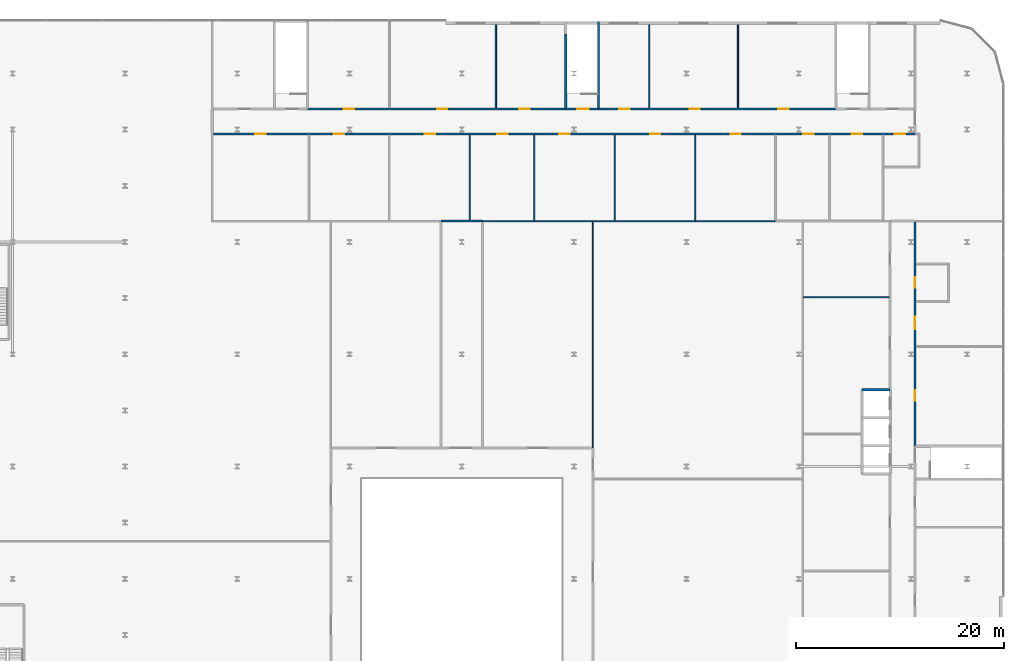
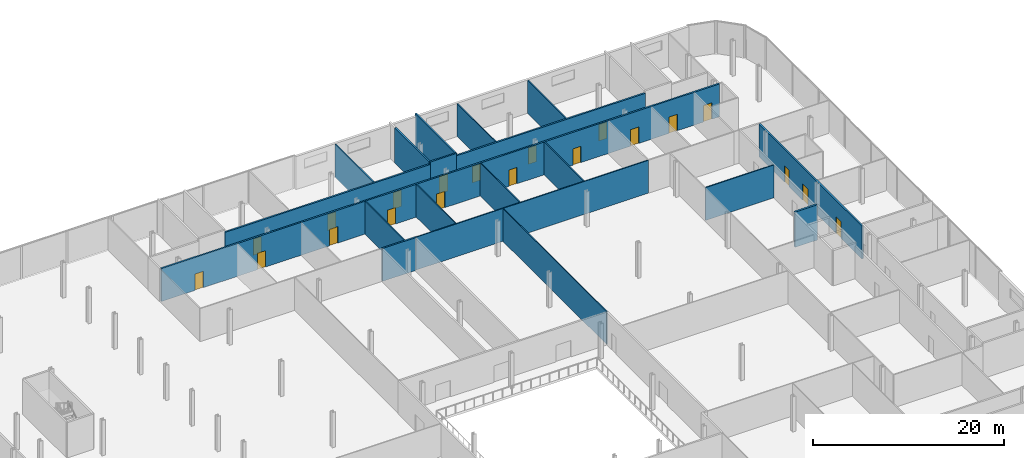
# One storey, part 35 of 43: 20 doors, 19 walls, 20 openings.
"""IFC4 building model written with IfcOpenShell, lengths in metres."""

from ifc_helpers import new_model, si_unit, direction, frame, frame_2d, origin, place, context, subcontext, project, spatial, rectangle, extrude, source, transform, mapped, material, layer, layer_set, type_object, element, fill, save


model = new_model("IFC4")

# Units and contexts
model_context = context("Model", 3, precision=1e-05, world=origin(), true_north=direction((0.0, 1.0)))
body_context = subcontext(model_context, "Body", "Model", "MODEL_VIEW")
ifc_project = project(units=[si_unit("LENGTHUNIT", "METRE"), si_unit("AREAUNIT", "SQUARE_METRE"), si_unit("VOLUMEUNIT", "CUBIC_METRE"), si_unit("PLANEANGLEUNIT", "RADIAN"), si_unit("MASSUNIT", "GRAM", prefix="KILO")], contexts=[model_context])

# Site, building, storey
site_placement = place(None, origin())
site = spatial("IfcSite", under=ifc_project, at=site_placement, CompositionType="ELEMENT")
building_placement = place(site_placement, origin())
building = spatial("IfcBuilding", under=site, at=building_placement, Name="Kheshtan School and Residences Tower", CompositionType="ELEMENT")
storey_placement = place(building_placement, frame((0.0, 0.0, 26.0)))
storey = spatial("IfcBuildingStorey", under=building, at=storey_placement, Name="L05", CompositionType="ELEMENT", Elevation=26.0)

# Walls
ifc_material_1 = material(Name="Gypsum board on steel studs with mineral wool", Category="steel")
ifc_layer_1 = layer(ifc_material_1, 0.125)
ifc_layer_set_1 = layer_set([ifc_layer_1], Name="Acoustic partition 125")
wall_type_1 = type_object("IfcWallType", Name="Acoustic partition 125", PredefinedType="PARTITIONING", material=ifc_layer_set_1)
wall_1_placement = place(storey_placement, frame((80.76904296875, 90.89990234375, 0.0), z_axis=(0.0, 0.0, 1.0), x_axis=(0.0, 1.0, 0.0)))
element("IfcWall", 1, at=wall_1_placement, inside=storey, type_object=wall_type_1, Name="Partition L05-039", PredefinedType="PARTITIONING", context=body_context, shape_type="SweptSolid", body=[
    extrude(rectangle(XDim=8.2001953125, YDim=0.125, at=frame_2d((4.10009765625, 0.0))), origin(), (0.0, 0.0, 1.0), 4.199951171875),
])
wall_2_placement = place(storey_placement, frame((82.0, 90.800048828125, 0.0), z_axis=(0.0, 0.0, 1.0), x_axis=(1.0, 0.0, 0.0)))
element("IfcWall", 2, at=wall_2_placement, inside=storey, type_object=wall_type_1, Name="Partition L05-041", PredefinedType="PARTITIONING", context=body_context, shape_type="SweptSolid", body=[
    extrude(rectangle(XDim=28.18310546875, YDim=0.125, at=frame_2d((14.091552734375, 0.0))), origin(), (0.0, 0.0, 1.0), 4.199951171875),
])
for number, where, z_axis, x_axis, name in (
    (3, (86.9619140625, 90.862060546875, 0.0), (0.0, 0.0, 1.0), (0.0, 1.0, 0.0), "Partition L05-043"),
    (4, (94.701904296875, 90.862060546875, 0.0), (0.0, 0.0, 1.0), (0.0, 1.0, 0.0), "Partition L05-058"),
):
    element("IfcWall", number, at=place(storey_placement, frame(where, z_axis=z_axis, x_axis=x_axis)), inside=storey, type_object=wall_type_1, Name=name, PredefinedType="PARTITIONING", context=body_context, shape_type="SweptSolid", body=[
        extrude(rectangle(XDim=8.238037109375, YDim=0.125, at=frame_2d((4.119140625, 0.0))), origin(), (0.0, 0.0, 1.0), 4.199951171875),
    ])
wall_3_placement = place(storey_placement, frame((98.037109375, 101.699951171875, 0.0), z_axis=(0.0, 0.0, 1.0), x_axis=(0.0, 1.0, 0.0)))
element("IfcWall", 5, at=wall_3_placement, inside=storey, type_object=wall_type_1, Name="Partition L05-059", PredefinedType="PARTITIONING", context=body_context, shape_type="SweptSolid", body=[
    extrude(rectangle(XDim=8.0009765625, YDim=0.125, at=frame_2d((4.00048828125, 0.0))), origin(), (0.0, 0.0, 1.0), 4.199951171875),
])
wall_4_placement = place(storey_placement, frame((102.443115234375, 90.862060546875, 0.0), z_axis=(0.0, 0.0, 1.0), x_axis=(0.0, 1.0, 0.0)))
element("IfcWall", 6, at=wall_4_placement, inside=storey, type_object=wall_type_1, Name="Partition L05-060", PredefinedType="PARTITIONING", context=body_context, shape_type="SweptSolid", body=[
    extrude(rectangle(XDim=8.238037109375, YDim=0.125, at=frame_2d((4.119140625, 0.0))), origin(), (0.0, 0.0, 1.0), 4.199951171875),
])
wall_5_placement = place(storey_placement, frame((106.55810546875, 101.699951171875, 0.0), z_axis=(0.0, 0.0, 1.0), x_axis=(0.0, 1.0, 0.0)))
element("IfcWall", 7, at=wall_5_placement, inside=storey, type_object=wall_type_1, Name="Partition L05-063", PredefinedType="PARTITIONING", context=body_context, shape_type="SweptSolid", body=[
    extrude(rectangle(XDim=8.0009765625, YDim=0.125, at=frame_2d((4.00048828125, 0.0))), origin(), (0.0, 0.0, 1.0), 4.199951171875),
])
wall_6_placement = place(storey_placement, frame((112.862060546875, 83.487060546875, 0.0), z_axis=(0.0, 0.0, 1.0), x_axis=(1.0, 0.0, 0.0)))
element("IfcWall", 8, at=wall_6_placement, inside=storey, type_object=wall_type_1, Name="Partition L05-072", PredefinedType="PARTITIONING", context=body_context, shape_type="SweptSolid", body=[
    extrude(rectangle(XDim=8.238037109375, YDim=0.125, at=frame_2d((4.119140625, 0.0))), origin(), (0.0, 0.0, 1.0), 4.199951171875),
])

# Wall, openings, doors
ifc_material_2 = material(Name="Gypsum board on steel studs with fire boards", Category="steel")
ifc_layer_2 = layer(ifc_material_2, 0.199951171875)
ifc_layer_set_2 = layer_set([ifc_layer_2], Name="Corridor wall 200")
wall_type_2 = type_object("IfcWallType", Name="Corridor wall 200", PredefinedType="PARTITIONING", material=ifc_layer_set_2)
wall_7_placement = place(storey_placement, frame((56.10009765625, 99.199951171875, 0.0), z_axis=(0.0, 0.0, 1.0), x_axis=(1.0, 0.0, 0.0)))
wall_7 = element("IfcWall", 9, at=wall_7_placement, inside=storey, type_object=wall_type_2, Name="Partition L05-024", PredefinedType="PARTITIONING", context=body_context, shape_type="SweptSolid", body=[
    extrude(rectangle(XDim=67.5, YDim=0.199951171875, at=frame_2d((33.75, 0.0))), origin(), (0.0, 0.0, 1.0), 4.199951171875),
])
opening_1_placement = place(wall_7_placement, frame((4.050048828125, 0.0, 0.0)))
opening_1 = element("IfcOpeningElement", 10, at=opening_1_placement, cuts=wall_7, Name="Opening D05-013", PredefinedType="OPENING", context=body_context, shape_type="SweptSolid", body=[
    extrude(rectangle(XDim=1.0, YDim=2.10009765625, at=frame_2d((0.5, 1.050048828125))), frame((0.0, 0.10986328125, 0.0), z_axis=(0.0, -1.0, 0.0), x_axis=(1.0, 0.0, 0.0)), (0.0, 0.0, 1.0), 0.219970703125),
])
opening_2_placement = place(wall_7_placement, frame((65.553955078125, 0.0, 0.0)))
opening_2 = element("IfcOpeningElement", 11, at=opening_2_placement, cuts=wall_7, Name="Opening D05-014", PredefinedType="OPENING", context=body_context, shape_type="SweptSolid", body=[
    extrude(rectangle(XDim=1.0, YDim=2.10009765625, at=frame_2d((0.5, 1.050048828125))), frame((0.0, 0.10986328125, 0.0), z_axis=(0.0, -1.0, 0.0), x_axis=(1.0, 0.0, 0.0)), (0.0, 0.0, 1.0), 0.219970703125),
])
opening_3_placement = place(wall_7_placement, frame((11.589111328125, 0.0, 0.0)))
opening_3 = element("IfcOpeningElement", 12, at=opening_3_placement, cuts=wall_7, Name="Opening D05-016", PredefinedType="OPENING", context=body_context, shape_type="SweptSolid", body=[
    extrude(rectangle(XDim=1.0, YDim=2.10009765625, at=frame_2d((0.5, 1.050048828125))), frame((0.0, 0.10986328125, 0.0), z_axis=(0.0, -1.0, 0.0), x_axis=(1.0, 0.0, 0.0)), (0.0, 0.0, 1.0), 0.219970703125),
])
opening_4_placement = place(wall_7_placement, frame((20.3291015625, 0.0, 0.0)))
opening_4 = element("IfcOpeningElement", 13, at=opening_4_placement, cuts=wall_7, Name="Opening D05-017", PredefinedType="OPENING", context=body_context, shape_type="SweptSolid", body=[
    extrude(rectangle(XDim=1.0, YDim=2.10009765625, at=frame_2d((0.5, 1.050048828125))), frame((0.0, 0.10986328125, 0.0), z_axis=(0.0, -1.0, 0.0), x_axis=(1.0, 0.0, 0.0)), (0.0, 0.0, 1.0), 0.219970703125),
])
opening_5_placement = place(wall_7_placement, frame((27.319091796875, 0.0, 0.0)))
opening_5 = element("IfcOpeningElement", 14, at=opening_5_placement, cuts=wall_7, Name="Opening D05-018", PredefinedType="OPENING", context=body_context, shape_type="SweptSolid", body=[
    extrude(rectangle(XDim=1.0, YDim=2.10009765625, at=frame_2d((0.5, 1.050048828125))), frame((0.0, 0.10986328125, 0.0), z_axis=(0.0, -1.0, 0.0), x_axis=(1.0, 0.0, 0.0)), (0.0, 0.0, 1.0), 0.219970703125),
])
opening_6_placement = place(wall_7_placement, frame((33.261962890625, 0.0, 0.0)))
opening_6 = element("IfcOpeningElement", 15, at=opening_6_placement, cuts=wall_7, Name="Opening D05-019", PredefinedType="OPENING", context=body_context, shape_type="SweptSolid", body=[
    extrude(rectangle(XDim=1.0, YDim=2.10009765625, at=frame_2d((0.5, 1.050048828125))), frame((0.0, 0.10986328125, 0.0), z_axis=(0.0, -1.0, 0.0), x_axis=(1.0, 0.0, 0.0)), (0.0, 0.0, 1.0), 0.219970703125),
])
opening_7_placement = place(wall_7_placement, frame((42.001953125, 0.0, 0.0)))
opening_7 = element("IfcOpeningElement", 16, at=opening_7_placement, cuts=wall_7, Name="Opening D05-020", PredefinedType="OPENING", context=body_context, shape_type="SweptSolid", body=[
    extrude(rectangle(XDim=1.0, YDim=2.10009765625, at=frame_2d((0.5, 1.050048828125))), frame((0.0, 0.10986328125, 0.0), z_axis=(0.0, -1.0, 0.0), x_axis=(1.0, 0.0, 0.0)), (0.0, 0.0, 1.0), 0.219970703125),
])
opening_8_placement = place(wall_7_placement, frame((49.742919921875, 0.0, 0.0)))
opening_8 = element("IfcOpeningElement", 17, at=opening_8_placement, cuts=wall_7, Name="Opening D05-021", PredefinedType="OPENING", context=body_context, shape_type="SweptSolid", body=[
    extrude(rectangle(XDim=1.0, YDim=2.10009765625, at=frame_2d((0.5, 1.050048828125))), frame((0.0, 0.10986328125, 0.0), z_axis=(0.0, -1.0, 0.0), x_axis=(1.0, 0.0, 0.0)), (0.0, 0.0, 1.0), 0.219970703125),
])
opening_9_placement = place(wall_7_placement, frame((56.73291015625, 0.0, 0.0)))
opening_9 = element("IfcOpeningElement", 18, at=opening_9_placement, cuts=wall_7, Name="Opening D05-022", PredefinedType="OPENING", context=body_context, shape_type="SweptSolid", body=[
    extrude(rectangle(XDim=1.0, YDim=2.10009765625, at=frame_2d((0.5, 1.050048828125))), frame((0.0, 0.10986328125, 0.0), z_axis=(0.0, -1.0, 0.0), x_axis=(1.0, 0.0, 0.0)), (0.0, 0.0, 1.0), 0.219970703125),
])
opening_10_placement = place(wall_7_placement, frame((61.39404296875, 0.0, 0.0)))
opening_10 = element("IfcOpeningElement", 19, at=opening_10_placement, cuts=wall_7, Name="Opening D05-023", PredefinedType="OPENING", context=body_context, shape_type="SweptSolid", body=[
    extrude(rectangle(XDim=1.0, YDim=2.10009765625, at=frame_2d((0.5, 1.050048828125))), frame((0.0, 0.10986328125, 0.0), z_axis=(0.0, -1.0, 0.0), x_axis=(1.0, 0.0, 0.0)), (0.0, 0.0, 1.0), 0.219970703125),
])
ifc_material_3 = material(Name="Steel-framed fire-resisting door leaf", Category="steel")
door_type_1 = type_object("IfcDoorType", Name="Fire door FD60 1000 x 2100", OperationType="SINGLE_SWING_LEFT", PredefinedType="DOOR", material=ifc_material_3)
shared_shape_1 = source(origin(), body_context, "Body", "SweptSolid", [
    extrude(rectangle(XDim=1.0, YDim=2.10009765625, at=frame_2d((0.5, 1.050048828125))), frame((0.0, 0.02490234375, 0.0), z_axis=(0.0, -1.0, 0.0), x_axis=(1.0, 0.0, 0.0)), (0.0, 0.0, 1.0), 0.050048828125),
])
door_1_placement = place(opening_1_placement, origin())
door_1 = element("IfcDoor", 20, at=door_1_placement, inside=storey, type_object=door_type_1, Name="Door D05-013", OperationType="SINGLE_SWING_LEFT", OverallHeight=2.10009765625, OverallWidth=1.0, PredefinedType="DOOR", context=body_context, shape_type="MappedRepresentation", body=[
    mapped(shared_shape_1, transform((0.0, 0.0, 0.0), x_axis=(1.0, 0.0, 0.0), y_axis=(0.0, 1.0, 0.0), z_axis=(0.0, 0.0, 1.0), scale=1.0)),
])
fill(opening_1, door_1)
door_2_placement = place(opening_2_placement, origin())
door_2 = element("IfcDoor", 21, at=door_2_placement, inside=storey, type_object=door_type_1, Name="Door D05-014", OperationType="SINGLE_SWING_RIGHT", OverallHeight=2.10009765625, OverallWidth=1.0, PredefinedType="DOOR", context=body_context, shape_type="MappedRepresentation", body=[
    mapped(shared_shape_1, transform((0.0, 0.0, 0.0), x_axis=(1.0, 0.0, 0.0), y_axis=(0.0, 1.0, 0.0), z_axis=(0.0, 0.0, 1.0), scale=1.0)),
])
fill(opening_2, door_2)
door_3_placement = place(opening_3_placement, origin())
door_3 = element("IfcDoor", 22, at=door_3_placement, inside=storey, type_object=door_type_1, Name="Door D05-016", OperationType="SINGLE_SWING_LEFT", OverallHeight=2.10009765625, OverallWidth=1.0, PredefinedType="DOOR", context=body_context, shape_type="MappedRepresentation", body=[
    mapped(shared_shape_1, transform((0.0, 0.0, 0.0), x_axis=(1.0, 0.0, 0.0), y_axis=(0.0, 1.0, 0.0), z_axis=(0.0, 0.0, 1.0), scale=1.0)),
])
fill(opening_3, door_3)
door_4_placement = place(opening_4_placement, origin())
door_4 = element("IfcDoor", 23, at=door_4_placement, inside=storey, type_object=door_type_1, Name="Door D05-017", OperationType="SINGLE_SWING_RIGHT", OverallHeight=2.10009765625, OverallWidth=1.0, PredefinedType="DOOR", context=body_context, shape_type="MappedRepresentation", body=[
    mapped(shared_shape_1, transform((0.0, 0.0, 0.0), x_axis=(1.0, 0.0, 0.0), y_axis=(0.0, 1.0, 0.0), z_axis=(0.0, 0.0, 1.0), scale=1.0)),
])
fill(opening_4, door_4)
door_5_placement = place(opening_5_placement, origin())
door_5 = element("IfcDoor", 24, at=door_5_placement, inside=storey, type_object=door_type_1, Name="Door D05-018", OperationType="SINGLE_SWING_RIGHT", OverallHeight=2.10009765625, OverallWidth=1.0, PredefinedType="DOOR", context=body_context, shape_type="MappedRepresentation", body=[
    mapped(shared_shape_1, transform((0.0, 0.0, 0.0), x_axis=(1.0, 0.0, 0.0), y_axis=(0.0, 1.0, 0.0), z_axis=(0.0, 0.0, 1.0), scale=1.0)),
])
fill(opening_5, door_5)
door_6_placement = place(opening_6_placement, origin())
door_6 = element("IfcDoor", 25, at=door_6_placement, inside=storey, type_object=door_type_1, Name="Door D05-019", OperationType="SINGLE_SWING_RIGHT", OverallHeight=2.10009765625, OverallWidth=1.0, PredefinedType="DOOR", context=body_context, shape_type="MappedRepresentation", body=[
    mapped(shared_shape_1, transform((0.0, 0.0, 0.0), x_axis=(1.0, 0.0, 0.0), y_axis=(0.0, 1.0, 0.0), z_axis=(0.0, 0.0, 1.0), scale=1.0)),
])
fill(opening_6, door_6)
door_7_placement = place(opening_7_placement, origin())
door_7 = element("IfcDoor", 26, at=door_7_placement, inside=storey, type_object=door_type_1, Name="Door D05-020", OperationType="SINGLE_SWING_LEFT", OverallHeight=2.10009765625, OverallWidth=1.0, PredefinedType="DOOR", context=body_context, shape_type="MappedRepresentation", body=[
    mapped(shared_shape_1, transform((0.0, 0.0, 0.0), x_axis=(1.0, 0.0, 0.0), y_axis=(0.0, 1.0, 0.0), z_axis=(0.0, 0.0, 1.0), scale=1.0)),
])
fill(opening_7, door_7)
door_8_placement = place(opening_8_placement, origin())
door_8 = element("IfcDoor", 27, at=door_8_placement, inside=storey, type_object=door_type_1, Name="Door D05-021", OperationType="SINGLE_SWING_RIGHT", OverallHeight=2.10009765625, OverallWidth=1.0, PredefinedType="DOOR", context=body_context, shape_type="MappedRepresentation", body=[
    mapped(shared_shape_1, transform((0.0, 0.0, 0.0), x_axis=(1.0, 0.0, 0.0), y_axis=(0.0, 1.0, 0.0), z_axis=(0.0, 0.0, 1.0), scale=1.0)),
])
fill(opening_8, door_8)
door_9_placement = place(opening_9_placement, origin())
door_9 = element("IfcDoor", 28, at=door_9_placement, inside=storey, type_object=door_type_1, Name="Door D05-022", OperationType="SINGLE_SWING_LEFT", OverallHeight=2.10009765625, OverallWidth=1.0, PredefinedType="DOOR", context=body_context, shape_type="MappedRepresentation", body=[
    mapped(shared_shape_1, transform((0.0, 0.0, 0.0), x_axis=(1.0, 0.0, 0.0), y_axis=(0.0, 1.0, 0.0), z_axis=(0.0, 0.0, 1.0), scale=1.0)),
])
fill(opening_9, door_9)
door_10_placement = place(opening_10_placement, origin())
door_10 = element("IfcDoor", 29, at=door_10_placement, inside=storey, type_object=door_type_1, Name="Door D05-023", OperationType="SINGLE_SWING_LEFT", OverallHeight=2.10009765625, OverallWidth=1.0, PredefinedType="DOOR", context=body_context, shape_type="MappedRepresentation", body=[
    mapped(shared_shape_1, transform((0.0, 0.0, 0.0), x_axis=(1.0, 0.0, 0.0), y_axis=(0.0, 1.0, 0.0), z_axis=(0.0, 0.0, 1.0), scale=1.0)),
])
fill(opening_10, door_10)

wall_8_placement = place(storey_placement, frame((65.14990234375, 101.60009765625, 0.0), z_axis=(0.0, 0.0, 1.0), x_axis=(1.0, 0.0, 0.0)))
wall_8 = element("IfcWall", 30, at=wall_8_placement, inside=storey, type_object=wall_type_2, Name="Partition L05-026", PredefinedType="PARTITIONING", context=body_context, shape_type="SweptSolid", body=[
    extrude(rectangle(XDim=24.85009765625, YDim=0.199951171875, at=frame_2d((12.425048828125, 0.0))), origin(), (0.0, 0.0, 1.0), 4.199951171875),
])
opening_11_placement = place(wall_8_placement, frame((3.491943359375, 0.0, 0.0)))
opening_11 = element("IfcOpeningElement", 31, at=opening_11_placement, cuts=wall_8, Name="Opening D05-025", PredefinedType="OPENING", context=body_context, shape_type="SweptSolid", body=[
    extrude(rectangle(XDim=1.0, YDim=2.10009765625, at=frame_2d((0.5, 1.050048828125))), frame((0.0, 0.10986328125, 0.0), z_axis=(0.0, -1.0, 0.0), x_axis=(1.0, 0.0, 0.0)), (0.0, 0.0, 1.0), 0.219970703125),
])
opening_12_placement = place(wall_8_placement, frame((12.467041015625, 0.0, 0.0)))
opening_12 = element("IfcOpeningElement", 32, at=opening_12_placement, cuts=wall_8, Name="Opening D05-026", PredefinedType="OPENING", context=body_context, shape_type="SweptSolid", body=[
    extrude(rectangle(XDim=1.0, YDim=2.10009765625, at=frame_2d((0.5, 1.050048828125))), frame((0.0, 0.10986328125, 0.0), z_axis=(0.0, -1.0, 0.0), x_axis=(1.0, 0.0, 0.0)), (0.0, 0.0, 1.0), 0.219970703125),
])
opening_13_placement = place(wall_8_placement, frame((20.39794921875, 0.0, 0.0)))
opening_13 = element("IfcOpeningElement", 33, at=opening_13_placement, cuts=wall_8, Name="Opening D05-027", PredefinedType="OPENING", context=body_context, shape_type="SweptSolid", body=[
    extrude(rectangle(XDim=1.0, YDim=2.10009765625, at=frame_2d((0.5, 1.050048828125))), frame((0.0, 0.10986328125, 0.0), z_axis=(0.0, -1.0, 0.0), x_axis=(1.0, 0.0, 0.0)), (0.0, 0.0, 1.0), 0.219970703125),
])
door_11_placement = place(opening_11_placement, origin())
door_11 = element("IfcDoor", 34, at=door_11_placement, inside=storey, type_object=door_type_1, Name="Door D05-025", OperationType="SINGLE_SWING_LEFT", OverallHeight=2.10009765625, OverallWidth=1.0, PredefinedType="DOOR", context=body_context, shape_type="MappedRepresentation", body=[
    mapped(shared_shape_1, transform((0.0, 0.0, 0.0), x_axis=(1.0, 0.0, 0.0), y_axis=(0.0, 1.0, 0.0), z_axis=(0.0, 0.0, 1.0), scale=1.0)),
])
fill(opening_11, door_11)
door_12_placement = place(opening_12_placement, origin())
door_12 = element("IfcDoor", 35, at=door_12_placement, inside=storey, type_object=door_type_1, Name="Door D05-026", OperationType="SINGLE_SWING_LEFT", OverallHeight=2.10009765625, OverallWidth=1.0, PredefinedType="DOOR", context=body_context, shape_type="MappedRepresentation", body=[
    mapped(shared_shape_1, transform((0.0, 0.0, 0.0), x_axis=(1.0, 0.0, 0.0), y_axis=(0.0, 1.0, 0.0), z_axis=(0.0, 0.0, 1.0), scale=1.0)),
])
fill(opening_12, door_12)
door_13_placement = place(opening_13_placement, origin())
door_13 = element("IfcDoor", 36, at=door_13_placement, inside=storey, type_object=door_type_1, Name="Door D05-027", OperationType="SINGLE_SWING_RIGHT", OverallHeight=2.10009765625, OverallWidth=1.0, PredefinedType="DOOR", context=body_context, shape_type="MappedRepresentation", body=[
    mapped(shared_shape_1, transform((0.0, 0.0, 0.0), x_axis=(1.0, 0.0, 0.0), y_axis=(0.0, 1.0, 0.0), z_axis=(0.0, 0.0, 1.0), scale=1.0)),
])
fill(opening_13, door_13)

# Wall
wall_9_placement = place(storey_placement, frame((78.0, 90.800048828125, 0.0), z_axis=(0.0, 0.0, 1.0), x_axis=(1.0, 0.0, 0.0)))
element("IfcWall", 37, at=wall_9_placement, inside=storey, type_object=wall_type_2, Name="Partition L05-037", PredefinedType="PARTITIONING", context=body_context, shape_type="SweptSolid", body=[
    extrude(rectangle(XDim=4.0, YDim=0.199951171875, at=frame_2d((2.0, 0.0))), origin(), (0.0, 0.0, 1.0), 4.199951171875),
])

# Wall, openings, doors
wall_10_placement = place(storey_placement, frame((93.14990234375, 101.60009765625, 0.0), z_axis=(0.0, 0.0, 1.0), x_axis=(1.0, 0.0, 0.0)))
wall_10 = element("IfcWall", 38, at=wall_10_placement, inside=storey, type_object=wall_type_2, Name="Partition L05-057", PredefinedType="PARTITIONING", context=body_context, shape_type="SweptSolid", body=[
    extrude(rectangle(XDim=22.85009765625, YDim=0.199951171875, at=frame_2d((11.425048828125, 0.0))), origin(), (0.0, 0.0, 1.0), 4.199951171875),
])
opening_14_placement = place(wall_10_placement, frame((1.987060546875, 0.0, 0.0)))
opening_14 = element("IfcOpeningElement", 39, at=opening_14_placement, cuts=wall_10, Name="Opening D05-028", PredefinedType="OPENING", context=body_context, shape_type="SweptSolid", body=[
    extrude(rectangle(XDim=1.0, YDim=2.10009765625, at=frame_2d((0.5, 1.050048828125))), frame((0.0, 0.10986328125, 0.0), z_axis=(0.0, -1.0, 0.0), x_axis=(1.0, 0.0, 0.0)), (0.0, 0.0, 1.0), 0.219970703125),
])
opening_15_placement = place(wall_10_placement, frame((8.758056640625, 0.0, 0.0)))
opening_15 = element("IfcOpeningElement", 40, at=opening_15_placement, cuts=wall_10, Name="Opening D05-029", PredefinedType="OPENING", context=body_context, shape_type="SweptSolid", body=[
    extrude(rectangle(XDim=1.0, YDim=2.10009765625, at=frame_2d((0.5, 1.050048828125))), frame((0.0, 0.10986328125, 0.0), z_axis=(0.0, -1.0, 0.0), x_axis=(1.0, 0.0, 0.0)), (0.0, 0.0, 1.0), 0.219970703125),
])
opening_16_placement = place(wall_10_placement, frame((17.279052734375, 0.0, 0.0)))
opening_16 = element("IfcOpeningElement", 41, at=opening_16_placement, cuts=wall_10, Name="Opening D05-030", PredefinedType="OPENING", context=body_context, shape_type="SweptSolid", body=[
    extrude(rectangle(XDim=1.0, YDim=2.10009765625, at=frame_2d((0.5, 1.050048828125))), frame((0.0, 0.10986328125, 0.0), z_axis=(0.0, -1.0, 0.0), x_axis=(1.0, 0.0, 0.0)), (0.0, 0.0, 1.0), 0.219970703125),
])
door_14_placement = place(opening_14_placement, origin())
door_14 = element("IfcDoor", 42, at=door_14_placement, inside=storey, type_object=door_type_1, Name="Door D05-028", OperationType="SINGLE_SWING_RIGHT", OverallHeight=2.10009765625, OverallWidth=1.0, PredefinedType="DOOR", context=body_context, shape_type="MappedRepresentation", body=[
    mapped(shared_shape_1, transform((0.0, 0.0, 0.0), x_axis=(1.0, 0.0, 0.0), y_axis=(0.0, 1.0, 0.0), z_axis=(0.0, 0.0, 1.0), scale=1.0)),
])
fill(opening_14, door_14)
door_15_placement = place(opening_15_placement, origin())
door_15 = element("IfcDoor", 43, at=door_15_placement, inside=storey, type_object=door_type_1, Name="Door D05-029", OperationType="SINGLE_SWING_RIGHT", OverallHeight=2.10009765625, OverallWidth=1.0, PredefinedType="DOOR", context=body_context, shape_type="MappedRepresentation", body=[
    mapped(shared_shape_1, transform((0.0, 0.0, 0.0), x_axis=(1.0, 0.0, 0.0), y_axis=(0.0, 1.0, 0.0), z_axis=(0.0, 0.0, 1.0), scale=1.0)),
])
fill(opening_15, door_15)
door_16_placement = place(opening_16_placement, origin())
door_16 = element("IfcDoor", 44, at=door_16_placement, inside=storey, type_object=door_type_1, Name="Door D05-030", OperationType="SINGLE_SWING_LEFT", OverallHeight=2.10009765625, OverallWidth=1.0, PredefinedType="DOOR", context=body_context, shape_type="MappedRepresentation", body=[
    mapped(shared_shape_1, transform((0.0, 0.0, 0.0), x_axis=(1.0, 0.0, 0.0), y_axis=(0.0, 1.0, 0.0), z_axis=(0.0, 0.0, 1.0), scale=1.0)),
])
fill(opening_16, door_16)

wall_11_placement = place(storey_placement, frame((123.60009765625, 69.14990234375, 0.0), z_axis=(0.0, 0.0, 1.0), x_axis=(0.0, 1.0, 0.0)))
wall_11 = element("IfcWall", 45, at=wall_11_placement, inside=storey, type_object=wall_type_2, Name="Partition L05-086", PredefinedType="PARTITIONING", context=body_context, shape_type="SweptSolid", body=[
    extrude(rectangle(XDim=21.550048828125, YDim=0.199951171875, at=frame_2d((10.77490234375, 0.0))), origin(), (0.0, 0.0, 1.0), 4.199951171875),
])
opening_17_placement = place(wall_11_placement, frame((4.39990234375, 0.0, 0.0)))
opening_17 = element("IfcOpeningElement", 46, at=opening_17_placement, cuts=wall_11, Name="Opening D05-007", PredefinedType="OPENING", context=body_context, shape_type="SweptSolid", body=[
    extrude(rectangle(XDim=1.0, YDim=2.10009765625, at=frame_2d((0.5, 1.050048828125))), frame((0.0, 0.10986328125, 0.0), z_axis=(0.0, -1.0, 0.0), x_axis=(1.0, 0.0, 0.0)), (0.0, 0.0, 1.0), 0.219970703125),
])
opening_18_placement = place(wall_11_placement, frame((15.238037109375, 0.0, 0.0)))
opening_18 = element("IfcOpeningElement", 47, at=opening_18_placement, cuts=wall_11, Name="Opening D05-008", PredefinedType="OPENING", context=body_context, shape_type="SweptSolid", body=[
    extrude(rectangle(XDim=1.0, YDim=2.10009765625, at=frame_2d((0.5, 1.050048828125))), frame((0.0, 0.10986328125, 0.0), z_axis=(0.0, -1.0, 0.0), x_axis=(1.0, 0.0, 0.0)), (0.0, 0.0, 1.0), 0.219970703125),
])
opening_19_placement = place(wall_11_placement, frame((11.238037109375, 0.0, 0.0)))
opening_19 = element("IfcOpeningElement", 48, at=opening_19_placement, cuts=wall_11, Name="Opening D05-009", PredefinedType="OPENING", context=body_context, shape_type="SweptSolid", body=[
    extrude(rectangle(XDim=1.199951171875, YDim=2.10009765625, at=frame_2d((0.60009765625, 1.050048828125))), frame((0.0, 0.10986328125, 0.0), z_axis=(0.0, -1.0, 0.0), x_axis=(1.0, 0.0, 0.0)), (0.0, 0.0, 1.0), 0.219970703125),
])
door_17_placement = place(opening_17_placement, origin())
door_17 = element("IfcDoor", 49, at=door_17_placement, inside=storey, type_object=door_type_1, Name="Door D05-007", OperationType="SINGLE_SWING_LEFT", OverallHeight=2.10009765625, OverallWidth=1.0, PredefinedType="DOOR", context=body_context, shape_type="MappedRepresentation", body=[
    mapped(shared_shape_1, transform((0.0, 0.0, 0.0), x_axis=(1.0, 0.0, 0.0), y_axis=(0.0, 1.0, 0.0), z_axis=(0.0, 0.0, 1.0), scale=1.0)),
])
fill(opening_17, door_17)
door_18_placement = place(opening_18_placement, origin())
door_18 = element("IfcDoor", 50, at=door_18_placement, inside=storey, type_object=door_type_1, Name="Door D05-008", OperationType="SINGLE_SWING_LEFT", OverallHeight=2.10009765625, OverallWidth=1.0, PredefinedType="DOOR", context=body_context, shape_type="MappedRepresentation", body=[
    mapped(shared_shape_1, transform((0.0, 0.0, 0.0), x_axis=(1.0, 0.0, 0.0), y_axis=(0.0, 1.0, 0.0), z_axis=(0.0, 0.0, 1.0), scale=1.0)),
])
fill(opening_18, door_18)
door_type_2 = type_object("IfcDoorType", Name="Fire door FD60 1200 x 2100", OperationType="SINGLE_SWING_LEFT", PredefinedType="DOOR", material=ifc_material_3)
shared_shape_2 = source(origin(), body_context, "Body", "SweptSolid", [
    extrude(rectangle(XDim=1.199951171875, YDim=2.10009765625, at=frame_2d((0.60009765625, 1.050048828125))), frame((0.0, 0.02490234375, 0.0), z_axis=(0.0, -1.0, 0.0), x_axis=(1.0, 0.0, 0.0)), (0.0, 0.0, 1.0), 0.050048828125),
])
door_19_placement = place(opening_19_placement, origin())
door_19 = element("IfcDoor", 51, at=door_19_placement, inside=storey, type_object=door_type_2, Name="Door D05-009", OperationType="SINGLE_SWING_LEFT", OverallHeight=2.10009765625, OverallWidth=1.199951171875, PredefinedType="DOOR", context=body_context, shape_type="MappedRepresentation", body=[
    mapped(shared_shape_2, transform((0.0, 0.0, 0.0), x_axis=(1.0, 0.0, 0.0), y_axis=(0.0, 1.0, 0.0), z_axis=(0.0, 0.0, 1.0), scale=1.0)),
])
fill(opening_19, door_19)

# Walls
ifc_material_4 = material(Name="Gypsum board on steel studs", Category="steel")
ifc_layer_3 = layer(ifc_material_4, 0.10009765625)
ifc_layer_set_3 = layer_set([ifc_layer_3], Name="Gypsum partition 100")
wall_type_3 = type_object("IfcWallType", Name="Gypsum partition 100", PredefinedType="PARTITIONING", material=ifc_layer_set_3)
wall_12_placement = place(storey_placement, frame((92.60009765625, 69.0, 0.0), z_axis=(0.0, 0.0, 1.0), x_axis=(0.0, 1.0, 0.0)))
element("IfcWall", 52, at=wall_12_placement, inside=storey, type_object=wall_type_3, Name="Partition L05-055", PredefinedType="PARTITIONING", context=body_context, shape_type="SweptSolid", body=[
    extrude(rectangle(XDim=21.738037109375, YDim=0.10009765625, at=frame_2d((10.869140625, 0.0))), origin(), (0.0, 0.0, 1.0), 4.199951171875),
])
ifc_material_5 = material(Name="Fire-board shaft wall system")
ifc_layer_4 = layer(ifc_material_5, 0.25)
ifc_layer_set_4 = layer_set([ifc_layer_4], Name="Shaft lining wall 250")
wall_type_4 = type_object("IfcWallType", Name="Shaft lining wall 250", PredefinedType="PARTITIONING", material=ifc_layer_set_4)
wall_13_placement = place(storey_placement, frame((118.5, 74.60009765625, 0.0), z_axis=(0.0, 0.0, 1.0), x_axis=(1.0, 0.0, 0.0)))
element("IfcWall", 53, at=wall_13_placement, inside=storey, type_object=wall_type_4, Name="Shaft lining wall", PredefinedType="PARTITIONING", context=body_context, shape_type="SweptSolid", body=[
    extrude(rectangle(XDim=2.699951171875, YDim=0.25, at=frame_2d((1.35009765625, 0.0))), origin(), (0.0, 0.0, 1.0), 4.5),
])

# Wall, opening, door
ifc_material_6 = material(Name="Concrete C40/50", Category="concrete")
ifc_layer_5 = layer(ifc_material_6, 0.199951171875)
ifc_layer_set_5 = layer_set([ifc_layer_5], Name="Stair enclosure wall 200 Concrete C40/50")
wall_type_5 = type_object("IfcWallType", Name="Stair enclosure wall 200 Concrete C40/50", PredefinedType="SHEAR", material=ifc_layer_set_5)
wall_14_placement = place(storey_placement, frame((90.0, 101.60009765625, 0.0), z_axis=(0.0, 0.0, 1.0), x_axis=(1.0, 0.0, 0.0)))
wall_14 = element("IfcWall", 54, at=wall_14_placement, inside=storey, type_object=wall_type_5, Name="Stair enclosure wall", PredefinedType="SHEAR", context=body_context, shape_type="SweptSolid", body=[
    extrude(rectangle(XDim=3.14990234375, YDim=0.199951171875, at=frame_2d((1.574951171875, 0.0))), origin(), (0.0, 0.0, 1.0), 4.5),
])
opening_20_placement = place(wall_14_placement, frame((1.10009765625, 0.0, 0.0)))
opening_20 = element("IfcOpeningElement", 55, at=opening_20_placement, cuts=wall_14, Name="Opening SD90", PredefinedType="OPENING", context=body_context, shape_type="SweptSolid", body=[
    extrude(rectangle(XDim=1.10009765625, YDim=2.199951171875, at=frame_2d((0.550048828125, 1.10009765625))), frame((0.0, 0.10986328125, 0.0), z_axis=(0.0, -1.0, 0.0), x_axis=(1.0, 0.0, 0.0)), (0.0, 0.0, 1.0), 0.219970703125),
])
ifc_material_7 = material(Name="Steel door leaf, galvanised", Category="steel")
door_type_3 = type_object("IfcDoorType", Name="Stair door 1100 steel 90 min", OperationType="SINGLE_SWING_LEFT", PredefinedType="DOOR", material=ifc_material_7)
shared_shape_3 = source(origin(), body_context, "Body", "SweptSolid", [
    extrude(rectangle(XDim=1.10009765625, YDim=2.199951171875, at=frame_2d((0.550048828125, 1.10009765625))), frame((0.0, 0.02490234375, 0.0), z_axis=(0.0, -1.0, 0.0), x_axis=(1.0, 0.0, 0.0)), (0.0, 0.0, 1.0), 0.050048828125),
])
door_20_placement = place(opening_20_placement, origin())
door_20 = element("IfcDoor", 56, at=door_20_placement, inside=storey, type_object=door_type_3, Name="Stair door", OperationType="SINGLE_SWING_RIGHT", OverallHeight=2.199951171875, OverallWidth=1.10009765625, PredefinedType="DOOR", context=body_context, shape_type="MappedRepresentation", body=[
    mapped(shared_shape_3, transform((0.0, 0.0, 0.0), x_axis=(1.0, 0.0, 0.0), y_axis=(0.0, 1.0, 0.0), z_axis=(0.0, 0.0, 1.0), scale=1.0)),
])
fill(opening_20, door_20)

# Walls
wall_15_placement = place(storey_placement, frame((90.0, 101.60009765625, 0.0), z_axis=(0.0, 0.0, 1.0), x_axis=(0.0, 1.0, 0.0)))
element("IfcWall", 57, at=wall_15_placement, inside=storey, type_object=wall_type_5, Name="Stair enclosure wall", PredefinedType="SHEAR", context=body_context, shape_type="SweptSolid", body=[
    extrude(rectangle(XDim=7.199951171875, YDim=0.199951171875, at=frame_2d((3.60009765625, 0.0))), origin(), (0.0, 0.0, 1.0), 4.5),
])
wall_16_placement = place(storey_placement, frame((93.14990234375, 101.60009765625, 0.0), z_axis=(0.0, 0.0, 1.0), x_axis=(0.0, 1.0, 0.0)))
element("IfcWall", 58, at=wall_16_placement, inside=storey, type_object=wall_type_5, Name="Stair enclosure wall", PredefinedType="SHEAR", context=body_context, shape_type="SweptSolid", body=[
    extrude(rectangle(XDim=8.39990234375, YDim=0.199951171875, at=frame_2d((4.199951171875, 0.0))), origin(), (0.0, 0.0, 1.0), 4.5),
])
ifc_material_8 = material(Name="Moisture-resistant gypsum board on steel studs", Category="steel")
ifc_layer_6 = layer(ifc_material_8, 0.14990234375)
ifc_layer_set_6 = layer_set([ifc_layer_6], Name="Wet-room partition 150")
wall_type_6 = type_object("IfcWallType", Name="Wet-room partition 150", PredefinedType="PARTITIONING", material=ifc_layer_set_6)
wall_17_placement = place(storey_placement, frame((83.26708984375, 101.699951171875, 0.0), z_axis=(0.0, 0.0, 1.0), x_axis=(0.0, 1.0, 0.0)))
element("IfcWall", 59, at=wall_17_placement, inside=storey, type_object=wall_type_6, Name="Partition L05-042", PredefinedType="PARTITIONING", context=body_context, shape_type="SweptSolid", body=[
    extrude(rectangle(XDim=8.0009765625, YDim=0.14990234375, at=frame_2d((4.00048828125, 0.0))), origin(), (0.0, 0.0, 1.0), 4.199951171875),
])

save(model, "model.ifc")
